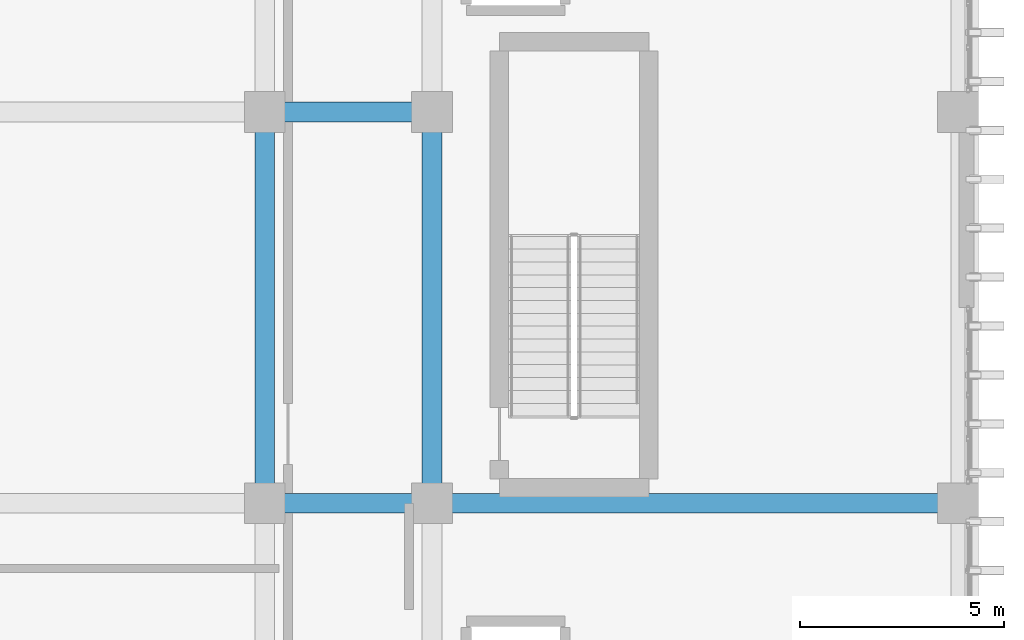
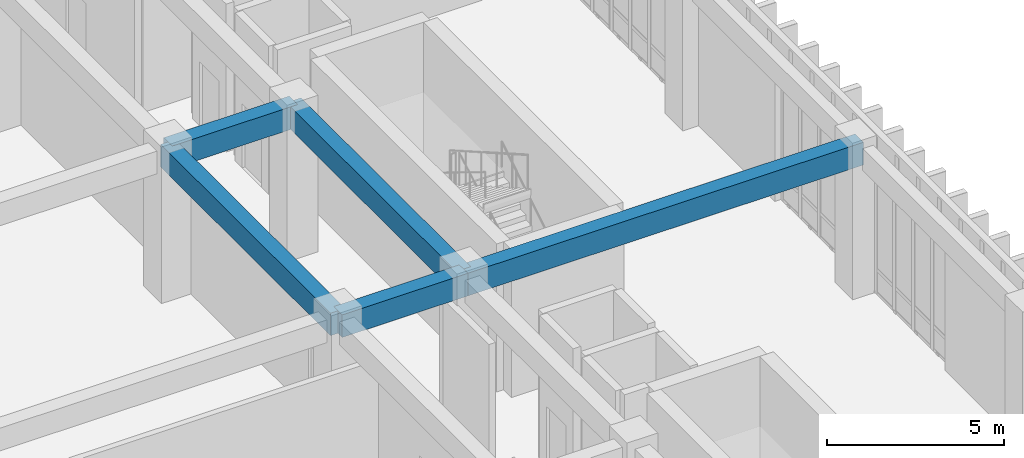
# One storey, part 67 of 134: 5 beams.
"""IFC4 building model written with IfcOpenShell, lengths in metres."""

from ifc_helpers import new_model, si_unit, direction, frame, origin, origin_2d, place, context, subcontext, project, spatial, rectangle, extrude, material, material_profile, profile_set, type_object, element, save


model = new_model("IFC4")

# Units and contexts
model_context = context("Model", 3, precision=1e-05, world=origin(), true_north=direction((0.0, 1.0)))
body_context = subcontext(model_context, "Body", "Model", "MODEL_VIEW")
ifc_project = project(units=[si_unit("LENGTHUNIT", "METRE"), si_unit("AREAUNIT", "SQUARE_METRE"), si_unit("VOLUMEUNIT", "CUBIC_METRE"), si_unit("PLANEANGLEUNIT", "RADIAN"), si_unit("MASSUNIT", "GRAM", prefix="KILO")], contexts=[model_context])

# Site, building, storey
site_placement = place(None, origin())
site = spatial("IfcSite", under=ifc_project, at=site_placement, CompositionType="ELEMENT")
building_placement = place(site_placement, origin())
building = spatial("IfcBuilding", under=site, at=building_placement, Name="Nakhvara Creek Congress Hotel", CompositionType="ELEMENT")
storey_placement = place(building_placement, frame((0.0, 0.0, 6.0)))
storey = spatial("IfcBuildingStorey", under=building, at=storey_placement, Name="L01", CompositionType="ELEMENT", Elevation=6.0)

# Beams
ifc_material = material(Name="Concrete C40/50", Category="concrete")
ifc_material_profile = material_profile(ifc_material, rectangle(XDim=0.47998046875, YDim=0.780029296875, at=origin_2d()), Name="RC-BM 480x780", Category="LoadBearing")
ifc_profile_set = profile_set([ifc_material_profile], Name="Concrete C40/50")
beam_type = type_object("IfcBeamType", Name="BM-RC-480X780", PredefinedType="BEAM", material=ifc_profile_set)
beam_1_placement = place(storey_placement, frame((162.35009765625, 48.0, 4.7099609375), z_axis=(0.0, 1.0, 0.0), x_axis=(-1.0, 0.0, 0.0)))
element("IfcBeam", 1, at=beam_1_placement, inside=storey, type_object=beam_type, Name="Beam B13-L01-1307", PredefinedType="BEAM", context=body_context, shape_type="SweptSolid", body=[
    extrude(rectangle(XDim=0.47998046875, YDim=0.780029296875, at=origin_2d()), origin(), (0.0, 0.0, 1.0), 9.60009765625),
])
for number, where, z_axis, x_axis, name in (
    (2, (162.35009765625, 48.0, 4.7099609375), (1.0, 0.0, 0.0), (0.0, 1.0, 0.0), "Beam B13-L01-1308"),
    (3, (162.35009765625, 57.60009765625, 4.7099609375), (1.0, 0.0, 0.0), (0.0, 1.0, 0.0), "Beam B13-L01-1310"),
):
    element("IfcBeam", number, at=place(storey_placement, frame(where, z_axis=z_axis, x_axis=x_axis)), inside=storey, type_object=beam_type, Name=name, PredefinedType="BEAM", context=body_context, shape_type="SweptSolid", body=[
        extrude(rectangle(XDim=0.47998046875, YDim=0.780029296875, at=origin_2d()), origin(), (0.0, 0.0, 1.0), 4.099853515625),
    ])
beam_2_placement = place(storey_placement, frame((166.449951171875, 48.0, 4.7099609375), z_axis=(0.0, 1.0, 0.0), x_axis=(-1.0, 0.0, 0.0)))
element("IfcBeam", 4, at=beam_2_placement, inside=storey, type_object=beam_type, Name="Beam B13-L01-1333", PredefinedType="BEAM", context=body_context, shape_type="SweptSolid", body=[
    extrude(rectangle(XDim=0.47998046875, YDim=0.780029296875, at=origin_2d()), origin(), (0.0, 0.0, 1.0), 9.60009765625),
])
beam_3_placement = place(storey_placement, frame((166.449951171875, 48.0, 4.7099609375), z_axis=(1.0, 0.0, 0.0), x_axis=(0.0, 1.0, 0.0)))
element("IfcBeam", 5, at=beam_3_placement, inside=storey, type_object=beam_type, Name="Beam B13-L01-1334", PredefinedType="BEAM", context=body_context, shape_type="SweptSolid", body=[
    extrude(rectangle(XDim=0.47998046875, YDim=0.780029296875, at=origin_2d()), origin(), (0.0, 0.0, 1.0), 12.900146484375),
])

save(model, "model.ifc")
